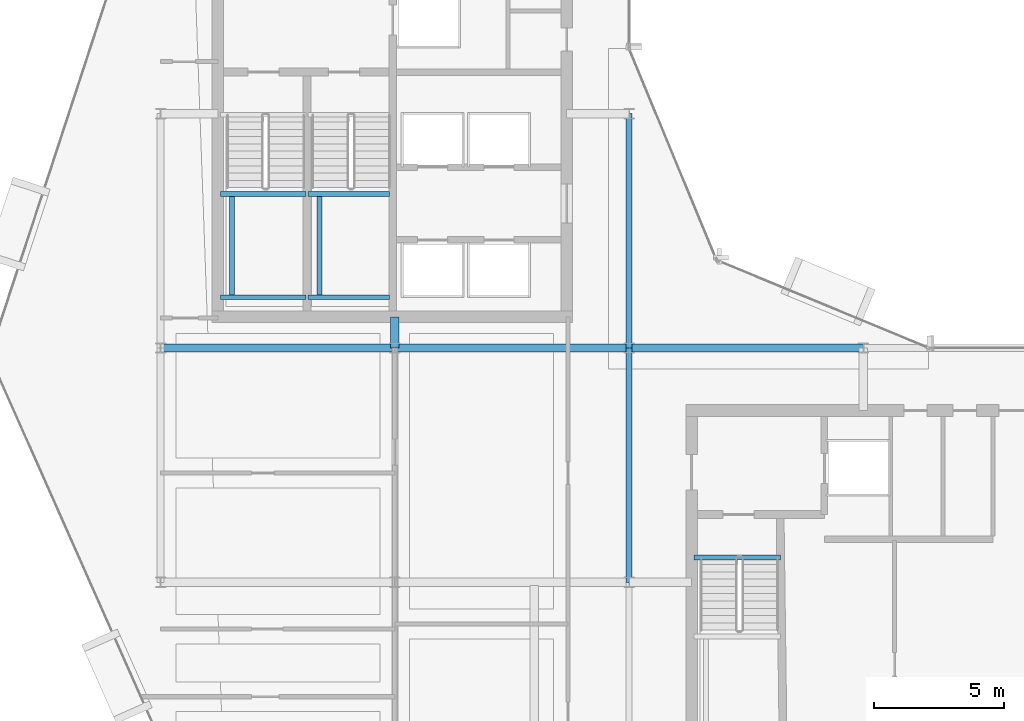
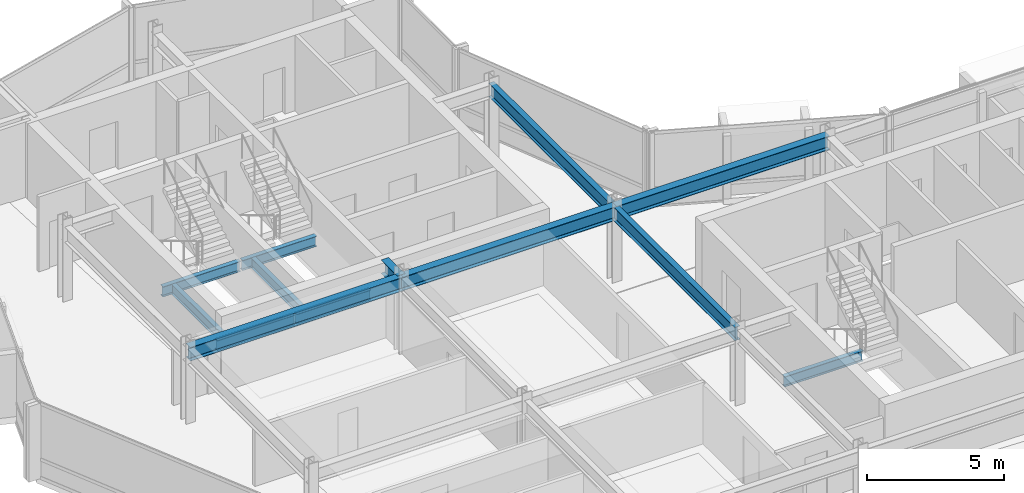
# One storey, part 7 of 27: 13 beams.
"""IFC4 building model written with IfcOpenShell, lengths in metres."""

from ifc_helpers import new_model, si_unit, direction, frame, origin, origin_2d, place, context, subcontext, project, spatial, i_section, extrude, material, material_profile, profile_set, type_object, element, save


model = new_model("IFC4")

# Units and contexts
model_context = context("Model", 3, precision=1e-05, world=origin(), true_north=direction((0.0, 1.0)))
body_context = subcontext(model_context, "Body", "Model", "MODEL_VIEW")
ifc_project = project(units=[si_unit("LENGTHUNIT", "METRE"), si_unit("AREAUNIT", "SQUARE_METRE"), si_unit("VOLUMEUNIT", "CUBIC_METRE"), si_unit("PLANEANGLEUNIT", "RADIAN"), si_unit("MASSUNIT", "GRAM", prefix="KILO")], contexts=[model_context])

# Site, building, storey
site_placement = place(None, origin())
site = spatial("IfcSite", under=ifc_project, at=site_placement, CompositionType="ELEMENT")
building_placement = place(site_placement, origin())
building = spatial("IfcBuilding", under=site, at=building_placement, Name="Solvaryn Broadcast Tower", CompositionType="ELEMENT")
storey_placement = place(building_placement, frame((0.0, 0.0, 232.10009765625)))
storey = spatial("IfcBuildingStorey", under=building, at=storey_placement, Name="L58", CompositionType="ELEMENT", Elevation=232.10009765625)

# Beams
ifc_material_1 = material(Name="Steel ASTM A992 Grade 50", Category="steel")
ifc_material_profile_1 = material_profile(ifc_material_1, i_section(OverallWidth=0.323974609375, OverallDepth=0.611083984375, WebThickness=0.0126953125, FlangeThickness=0.01904296875, FilletRadius=0.014892578125, at=origin_2d()))
ifc_profile_set_1 = profile_set([ifc_material_profile_1], Name="Steel ASTM A992 Grade 50")
beam_type_1 = type_object("IfcBeamType", Name="BM-B1-W24X104", PredefinedType="BEAM", material=ifc_profile_set_1)
for number, where, z_axis, x_axis, name in (
    (1, (9.0, 27.0, 3.064453125), (1.0, 0.0, 0.0), (0.0, 1.0, 0.0), "L58 Primary Beam X (9-18 @ Y=27)"),
    (2, (18.0, 27.0, 3.064453125), (1.0, 0.0, 0.0), (0.0, 1.0, 0.0), "L58 Primary Beam X (18-27 @ Y=27)"),
    (3, (27.0, 27.0, 3.064453125), (1.0, 0.0, 0.0), (0.0, 1.0, 0.0), "L58 Primary Beam X (27-36 @ Y=27)"),
):
    element("IfcBeam", number, at=place(storey_placement, frame(where, z_axis=z_axis, x_axis=x_axis)), inside=storey, type_object=beam_type_1, Name=name, PredefinedType="BEAM", context=body_context, shape_type="SweptSolid", body=[
        extrude(i_section(OverallWidth=0.323974609375, OverallDepth=0.611083984375, WebThickness=0.0126953125, FlangeThickness=0.01904296875, FilletRadius=0.014892578125, at=origin_2d()), origin(), (0.0, 0.0, 1.0), 9.0),
    ])
beam_1_placement = place(storey_placement, frame((18.0, 27.0, 3.064453125), z_axis=(0.0, 1.0, 0.0), x_axis=(-1.0, 0.0, 0.0)))
element("IfcBeam", 4, at=beam_1_placement, inside=storey, type_object=beam_type_1, Name="L58 Core Tie Beam CTW4", PredefinedType="BEAM", context=body_context, shape_type="SweptSolid", body=[
    extrude(i_section(OverallWidth=0.323974609375, OverallDepth=0.611083984375, WebThickness=0.0126953125, FlangeThickness=0.01904296875, FilletRadius=0.014892578125, at=origin_2d()), origin(), (0.0, 0.0, 1.0), 1.199951171875),
])
ifc_material_2 = material(Name="Steel ASTM A992 Grade 50", Category="steel")
ifc_material_profile_2 = material_profile(ifc_material_2, i_section(OverallWidth=0.22802734375, OverallDepth=0.60791015625, WebThickness=0.01123046875, FlangeThickness=0.017333984375, FilletRadius=0.014892578125, at=origin_2d()))
ifc_profile_set_2 = profile_set([ifc_material_profile_2], Name="Steel ASTM A992 Grade 50")
beam_type_2 = type_object("IfcBeamType", Name="BM-B2-W24X76", PredefinedType="BEAM", material=ifc_profile_set_2)
for number, where, z_axis, x_axis, name in (
    (5, (27.0, 18.0, 3.06591796875), (0.0, 1.0, 0.0), (-1.0, 0.0, 0.0), "L58 Primary Beam Y (18-27 @ X=27)"),
    (6, (27.0, 27.0, 3.06591796875), (0.0, 1.0, 0.0), (-1.0, 0.0, 0.0), "L58 Primary Beam Y (27-36 @ X=27)"),
):
    element("IfcBeam", number, at=place(storey_placement, frame(where, z_axis=z_axis, x_axis=x_axis)), inside=storey, type_object=beam_type_2, Name=name, PredefinedType="BEAM", context=body_context, shape_type="SweptSolid", body=[
        extrude(i_section(OverallWidth=0.22802734375, OverallDepth=0.60791015625, WebThickness=0.01123046875, FlangeThickness=0.017333984375, FilletRadius=0.014892578125, at=origin_2d()), origin(), (0.0, 0.0, 1.0), 9.0),
    ])
ifc_material_3 = material(Name="Steel ASTM A992 Grade 50", Category="steel")
ifc_material_profile_3 = material_profile(ifc_material_3, i_section(OverallWidth=0.18994140625, OverallDepth=0.45703125, WebThickness=0.009033203125, FlangeThickness=0.014404296875, FilletRadius=0.011962890625, at=origin_2d()))
ifc_profile_set_3 = profile_set([ifc_material_profile_3], Name="Steel ASTM A992 Grade 50")
beam_type_3 = type_object("IfcBeamType", Name="BM-B4-W18X50", PredefinedType="BEAM", material=ifc_profile_set_3)
for number, where, z_axis, x_axis, name in (
    (7, (11.300048828125, 28.949951171875, 1.42138671875), (1.0, 0.0, 0.0), (0.0, 1.0, 0.0), "L58 ST1 Landing Support Beam 1A"),
    (8, (11.300048828125, 32.909912109375, 1.42138671875), (1.0, 0.0, 0.0), (0.0, 1.0, 0.0), "L58 ST1 Landing Support Beam 1B"),
):
    element("IfcBeam", number, at=place(storey_placement, frame(where, z_axis=z_axis, x_axis=x_axis)), inside=storey, type_object=beam_type_3, Name=name, PredefinedType="BEAM", context=body_context, shape_type="SweptSolid", body=[
        extrude(i_section(OverallWidth=0.18994140625, OverallDepth=0.45703125, WebThickness=0.009033203125, FlangeThickness=0.014404296875, FilletRadius=0.011962890625, at=origin_2d()), origin(), (0.0, 0.0, 1.0), 3.280029296875),
    ])
beam_2_placement = place(storey_placement, frame((11.75, 28.949951171875, 1.42138671875), z_axis=(0.0, 1.0, 0.0), x_axis=(-1.0, 0.0, 0.0)))
element("IfcBeam", 9, at=beam_2_placement, inside=storey, type_object=beam_type_3, Name="L58 ST1 Landing Cross Stringer 1C", PredefinedType="BEAM", context=body_context, shape_type="SweptSolid", body=[
    extrude(i_section(OverallWidth=0.18994140625, OverallDepth=0.45703125, WebThickness=0.009033203125, FlangeThickness=0.014404296875, FilletRadius=0.011962890625, at=origin_2d()), origin(), (0.0, 0.0, 1.0), 3.9599609375),
])
for number, where, z_axis, x_axis, name in (
    (10, (14.659912109375, 28.949951171875, 1.42138671875), (1.0, 0.0, 0.0), (0.0, 1.0, 0.0), "L58 ST2 Landing Support Beam 1A"),
    (11, (14.659912109375, 32.909912109375, 1.42138671875), (1.0, 0.0, 0.0), (0.0, 1.0, 0.0), "L58 ST2 Landing Support Beam 1B"),
):
    element("IfcBeam", number, at=place(storey_placement, frame(where, z_axis=z_axis, x_axis=x_axis)), inside=storey, type_object=beam_type_3, Name=name, PredefinedType="BEAM", context=body_context, shape_type="SweptSolid", body=[
        extrude(i_section(OverallWidth=0.18994140625, OverallDepth=0.45703125, WebThickness=0.009033203125, FlangeThickness=0.014404296875, FilletRadius=0.011962890625, at=origin_2d()), origin(), (0.0, 0.0, 1.0), 3.14013671875),
    ])
beam_3_placement = place(storey_placement, frame((15.110107421875, 28.949951171875, 1.42138671875), z_axis=(0.0, 1.0, 0.0), x_axis=(-1.0, 0.0, 0.0)))
element("IfcBeam", 12, at=beam_3_placement, inside=storey, type_object=beam_type_3, Name="L58 ST2 Landing Cross Stringer 1C", PredefinedType="BEAM", context=body_context, shape_type="SweptSolid", body=[
    extrude(i_section(OverallWidth=0.18994140625, OverallDepth=0.45703125, WebThickness=0.009033203125, FlangeThickness=0.014404296875, FilletRadius=0.011962890625, at=origin_2d()), origin(), (0.0, 0.0, 1.0), 3.9599609375),
])
beam_4_placement = place(storey_placement, frame((29.5, 18.9599609375, -0.508544921875), z_axis=(1.0, 0.0, 0.0), x_axis=(0.0, 1.0, 0.0)))
element("IfcBeam", 13, at=beam_4_placement, inside=storey, type_object=beam_type_3, Name="L58 ST3 Stair Well Trimmer Beam", PredefinedType="BEAM", context=body_context, shape_type="SweptSolid", body=[
    extrude(i_section(OverallWidth=0.18994140625, OverallDepth=0.45703125, WebThickness=0.009033203125, FlangeThickness=0.014404296875, FilletRadius=0.011962890625, at=origin_2d()), origin(), (0.0, 0.0, 1.0), 3.320068359375),
])

save(model, "model.ifc")
